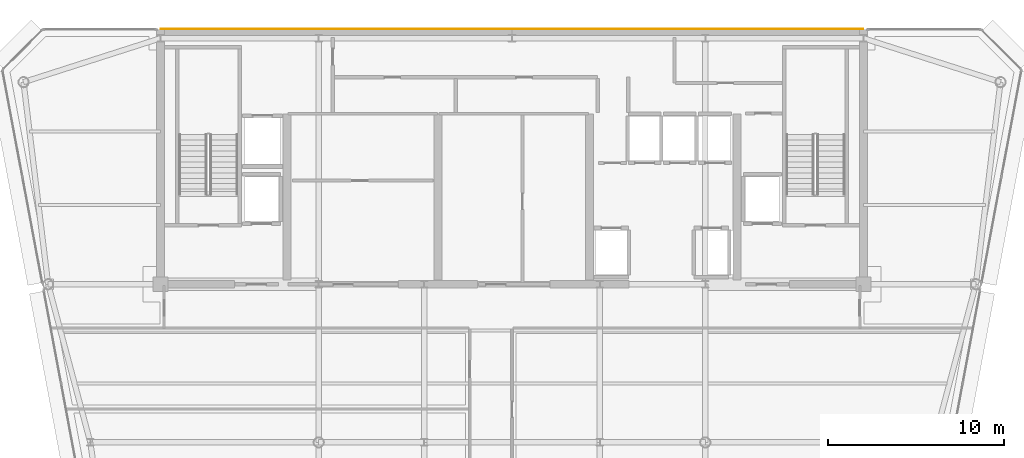
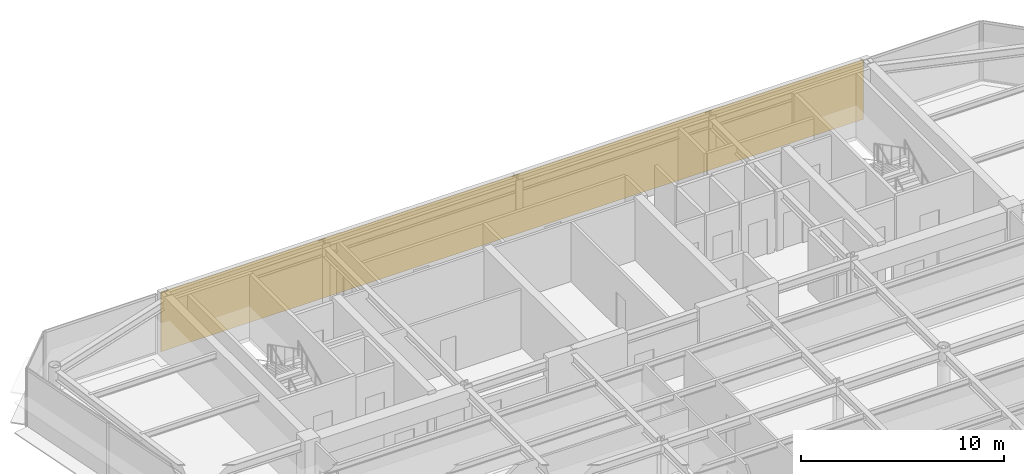
# One storey, part 18 of 19: 1 covering.
"""IFC4 building model written with IfcOpenShell, lengths in metres."""

import ifcopenshell
import ifcopenshell.guid

model = None  # the IFC model being written
_history = None  # IfcOwnerHistory: only IFC2X3 demands one
_inside = {}  # id of a spatial element -> (the spatial element, [elements in it])
_under = {}  # id of a project, library or spatial element -> (it, [spatial elements below it])
_declared = {}  # id of a project -> (the project, [libraries it declares])
_typed = {}  # id of a type object -> (the type object, [elements of that type])
_made_of = {}  # id of a material, layer set ... -> (it, [elements and type objects made of it])


def new_model(schema):
    """Start an empty IFC model of exactly this schema.

    Asked for "IFC4X3", IfcOpenShell would pick the latest addendum, in which some entities
    have other attributes; the version numbers below select the first issue.
    IFC2X3 requires an IfcOwnerHistory on every rooted entity: one is made here for all.
    """
    global model, _history
    if schema == "IFC4X3":
        model = ifcopenshell.file(schema_version=(4, 3, 0, 0))
    else:
        model = ifcopenshell.file(schema=schema)
    _inside.clear()
    _under.clear()
    _declared.clear()
    _typed.clear()
    _made_of.clear()
    _history = None
    if model.schema == "IFC2X3":
        org = make("IfcOrganization", Name="unknown")
        user = make(
            "IfcPersonAndOrganization",
            ThePerson=make("IfcPerson", FamilyName="unknown"),
            TheOrganization=org,
        )
        app = make(
            "IfcApplication",
            ApplicationDeveloper=org,
            Version="unknown",
            ApplicationFullName="unknown",
            ApplicationIdentifier="unknown",
        )
        _history = make(
            "IfcOwnerHistory",
            OwningUser=user,
            OwningApplication=app,
            ChangeAction="ADDED",
            CreationDate=0,
        )
    return model


def make(cls, **values):
    """One entity of the class cls with the attributes given. An attribute that is None is left unset."""
    return model.create_entity(
        cls, **{name: value for name, value in values.items() if value is not None}
    )


def rooted(cls, **values):
    """An entity with a GlobalId (a new one), such as an element, a storey or a relation."""
    return make(cls, GlobalId=ifcopenshell.guid.new(), OwnerHistory=_history, **values)


def si_unit(unit_type, name, prefix=None):
    """IfcSIUnit, for example si_unit("LENGTHUNIT", "METRE", prefix="MILLI")."""
    return make("IfcSIUnit", UnitType=unit_type, Prefix=prefix, Name=name)


def assignment(units):
    """IfcUnitAssignment: the units of a project."""
    return None if units is None else make("IfcUnitAssignment", Units=units)


def point(xyz):
    """IfcCartesianPoint."""
    return None if xyz is None else make("IfcCartesianPoint", Coordinates=xyz)


def direction(xyz):
    """IfcDirection."""
    return None if xyz is None else make("IfcDirection", DirectionRatios=xyz)


def frame(location, z_axis=None, x_axis=None):
    """IfcAxis2Placement3D, a coordinate frame: its origin and axes. An axis left out is left unset."""
    return make(
        "IfcAxis2Placement3D",
        Location=point(location),
        Axis=direction(z_axis),
        RefDirection=direction(x_axis),
    )


def origin():
    """The frame at (0, 0, 0) with its axes left unset."""
    return frame((0.0, 0.0, 0.0))


def place(relative_to, where):
    """IfcLocalPlacement: puts the frame where relative to a parent placement (None: the world)."""
    return make(
        "IfcLocalPlacement", PlacementRelTo=relative_to, RelativePlacement=where
    )


def context(
    kind, dimensions, precision=None, world=None, true_north=None, identifier=None
):
    """IfcGeometricRepresentationContext, for example the 3D "Model" context."""
    return make(
        "IfcGeometricRepresentationContext",
        ContextIdentifier=identifier,
        ContextType=kind,
        CoordinateSpaceDimension=dimensions,
        Precision=precision,
        WorldCoordinateSystem=world,
        TrueNorth=true_north,
    )


def subcontext(parent, identifier, kind, view, scale=None):
    """IfcGeometricRepresentationSubContext, for example "Body" below "Model"."""
    return make(
        "IfcGeometricRepresentationSubContext",
        ContextIdentifier=identifier,
        ContextType=kind,
        ParentContext=parent,
        TargetScale=scale,
        TargetView=view,
    )


def project(units=None, contexts=None):
    """IfcProject with its units and contexts."""
    return rooted(
        "IfcProject",
        Name="project",
        RepresentationContexts=contexts,
        UnitsInContext=assignment(units),
    )


def spatial(cls, under=None, at=None, **own):
    """A site, building, storey or space (cls), placed at a placement, below another one or the project."""
    s = rooted(cls, ObjectPlacement=at, **own)
    if under is not None:
        _under.setdefault(under.id(), (under, []))[1].append(s)
    return s


def polyline(points):
    """IfcPolyline through the points."""
    return make("IfcPolyline", Points=[point(p) for p in points])


def outline(outer, holes=None, kind="AREA"):
    """IfcArbitraryClosedProfileDef: a profile drawn as a closed curve; with holes, ...WithVoids."""
    if holes is None:
        return make("IfcArbitraryClosedProfileDef", ProfileType=kind, OuterCurve=outer)
    return make(
        "IfcArbitraryProfileDefWithVoids",
        ProfileType=kind,
        OuterCurve=outer,
        InnerCurves=holes,
    )


def extrude(swept, where, along, depth):
    """IfcExtrudedAreaSolid: the profile swept, set in the frame where, extruded along a direction by depth."""
    return make(
        "IfcExtrudedAreaSolid",
        SweptArea=swept,
        Position=where,
        ExtrudedDirection=direction(along),
        Depth=depth,
    )


def shape(context_of_items, identifier, shape_type, items):
    """IfcShapeRepresentation: the items that make up one representation, for example the "Body"."""
    return make(
        "IfcShapeRepresentation",
        ContextOfItems=context_of_items,
        RepresentationIdentifier=identifier,
        RepresentationType=shape_type,
        Items=items,
    )


def material(Name=None, Category=None):
    """IfcMaterial."""
    return make("IfcMaterial", Name=Name, Category=Category)


def layer(
    of_material, thickness, ventilated=None, Name=None, Category=None, Priority=None
):
    """IfcMaterialLayer: one layer of a wall or slab, of a material (None: an air gap)."""
    return make(
        "IfcMaterialLayer",
        Material=of_material,
        LayerThickness=thickness,
        IsVentilated=ventilated,
        Name=Name,
        Category=Category,
        Priority=Priority,
    )


def layer_set(layers, Name=None):
    """IfcMaterialLayerSet."""
    return make("IfcMaterialLayerSet", MaterialLayers=layers, LayerSetName=Name)


def made_of(thing, what):
    """Note that an element or type object is made of a material, layer set ...; save() writes the relation."""
    if what is not None:
        _made_of.setdefault(what.id(), (what, []))[1].append(thing)
    return thing


def type_object(cls, material=None, **own):
    """A type object (cls), such as IfcWallType, which elements share."""
    return made_of(rooted(cls, **own), material)


def element(
    cls,
    number,
    at=None,
    inside=None,
    cuts=None,
    type_object=None,
    material=None,
    context=None,
    identifier="Body",
    shape_type=None,
    held_by="IfcProductDefinitionShape",
    body=None,
    shapes=None,
    **own,
):
    """One element of the class cls, such as IfcWall. Its Tag is "e" and its number.

    at: its placement. inside: the storey or other place that contains it. cuts: it is an
    opening in that element (IfcRelVoidsElement). A single representation is given by context,
    identifier, shape_type and body (its items); several are given by shapes. held_by: the class
    of the entity that holds the representations. save() writes the other relations.
    """
    e = rooted(cls, Tag="e%d" % number, ObjectPlacement=at, **own)
    if body is not None:
        shapes = [shape(context, identifier, shape_type, body)]
    if shapes is not None:
        e.Representation = make(held_by, Representations=shapes)
    if inside is not None:
        _inside.setdefault(inside.id(), (inside, []))[1].append(e)
    if cuts is not None:
        rooted(
            "IfcRelVoidsElement", RelatingBuildingElement=cuts, RelatedOpeningElement=e
        )
    if type_object is not None:
        _typed.setdefault(type_object.id(), (type_object, []))[1].append(e)
    return made_of(e, material)


def aggregate(whole, parts):
    """IfcRelAggregates: a whole, such as a stair, and the parts it consists of."""
    return rooted("IfcRelAggregates", RelatingObject=whole, RelatedObjects=parts)


def save(model, path):
    """Write the relations noted so far, then the file.

    IfcRelAggregates (storeys below a building ...), IfcRelContainedInSpatialStructure (elements
    in a storey), IfcRelDefinesByType, IfcRelAssociatesMaterial and IfcRelDeclares: one each for
    every whole, place, type object, material and project.
    """
    for whole, parts in _under.values():
        aggregate(whole, parts)
    for where, things in _inside.values():
        rooted(
            "IfcRelContainedInSpatialStructure",
            RelatedElements=things,
            RelatingStructure=where,
        )
    for kind, things in _typed.values():
        rooted("IfcRelDefinesByType", RelatedObjects=things, RelatingType=kind)
    for what, things in _made_of.values():
        rooted("IfcRelAssociatesMaterial", RelatedObjects=things, RelatingMaterial=what)
    for by, libraries in _declared.values():
        rooted("IfcRelDeclares", RelatingContext=by, RelatedDefinitions=libraries)
    model.write(path)


model = new_model("IFC4")

# Units and contexts
model_context = context("Model", 3, precision=1e-05, world=origin(), true_north=direction((0.0, 1.0)))
body_context = subcontext(model_context, "Body", "Model", "MODEL_VIEW")
ifc_project = project(units=[si_unit("LENGTHUNIT", "METRE"), si_unit("AREAUNIT", "SQUARE_METRE"), si_unit("VOLUMEUNIT", "CUBIC_METRE"), si_unit("PLANEANGLEUNIT", "RADIAN"), si_unit("MASSUNIT", "GRAM", prefix="KILO")], contexts=[model_context])

# Site, building, storey
site_placement = place(None, origin())
site = spatial("IfcSite", under=ifc_project, at=site_placement, CompositionType="ELEMENT")
building_placement = place(site_placement, origin())
building = spatial("IfcBuilding", under=site, at=building_placement, Name="Vaeldorn Concourse Tower", CompositionType="ELEMENT")
storey_placement = place(building_placement, frame((0.0, 0.0, 276.39990234375)))
storey = spatial("IfcBuildingStorey", under=building, at=storey_placement, Name="L71", CompositionType="ELEMENT", Elevation=276.39990234375)

# Covering
ifc_material = material(Name="Anodised Bronze Aluminium", Category="aluminium")
ifc_layer = layer(ifc_material, 0.050048828125)
ifc_layer_set = layer_set([ifc_layer], Name="Anodised Bronze Aluminium")
covering_type = type_object("IfcCoveringType", Name="COV-CLAD-BRONZE", PredefinedType="CLADDING", material=ifc_layer_set)
covering_placement = place(storey_placement, origin())
element("IfcCovering", 1, at=covering_placement, inside=storey, type_object=covering_type, Name="Rear Core Bronze Spandrel Cladding L71", PredefinedType="CLADDING", context=body_context, shape_type="SweptSolid", body=[
    extrude(outline(polyline([(14.0, 51.0), (54.0, 51.0), (54.0, 51.050048828125), (14.0, 51.050048828125), (14.0, 51.0)])), origin(), (0.0, 0.0, 1.0), 3.580078125),
])

save(model, "model.ifc")
